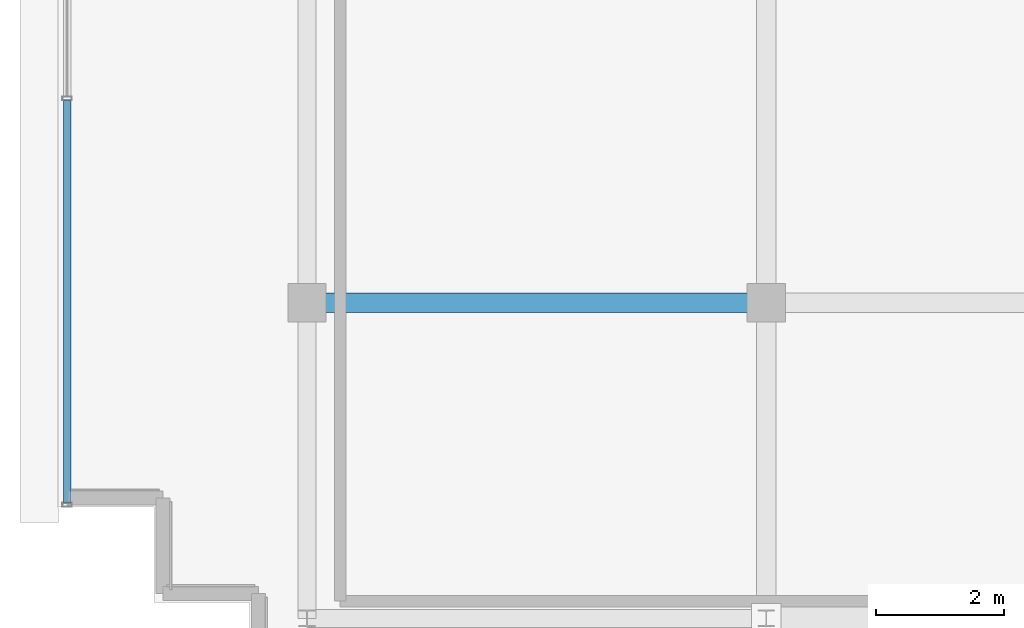
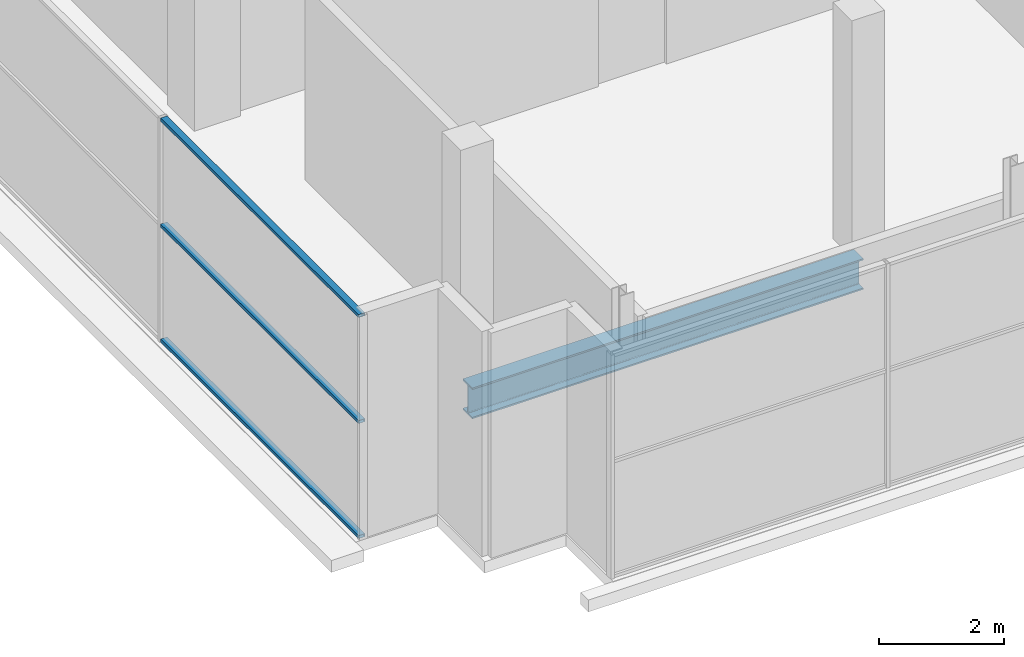
# One storey, part 4 of 28: 3 members, 1 beam, 1 element without a shape of its own.
"""IFC4 building model written with IfcOpenShell, lengths in metres."""

from ifc_helpers import new_model, si_unit, direction, frame, origin, origin_2d, place, context, subcontext, project, spatial, hollow_rectangle, i_section, extrude, source, transform, mapped, material, layer, layer_set, material_profile, profile_set, type_object, element, aggregate, save


model = new_model("IFC4")

# Units and contexts
model_context = context("Model", 3, precision=1e-05, world=origin(), true_north=direction((0.0, 1.0)))
body_context = subcontext(model_context, "Body", "Model", "MODEL_VIEW")
ifc_project = project(units=[si_unit("LENGTHUNIT", "METRE"), si_unit("AREAUNIT", "SQUARE_METRE"), si_unit("VOLUMEUNIT", "CUBIC_METRE"), si_unit("PLANEANGLEUNIT", "RADIAN"), si_unit("MASSUNIT", "GRAM", prefix="KILO")], contexts=[model_context])

# Site, building, storey
site_placement = place(None, origin())
site = spatial("IfcSite", under=ifc_project, at=site_placement, CompositionType="ELEMENT")
building_placement = place(site_placement, origin())
building = spatial("IfcBuilding", under=site, at=building_placement, Name="Zarnakvel Exchange Tower", CompositionType="ELEMENT")
storey_placement = place(building_placement, frame((0.0, 0.0, 290.0)))
storey = spatial("IfcBuildingStorey", under=building, at=storey_placement, Name="Crown L81", CompositionType="ELEMENT", Elevation=290.0)

# Beam
ifc_material_1 = material(Name="Steel S355", Category="steel")
ifc_material_profile_1 = material_profile(ifc_material_1, i_section(OverallWidth=0.300048828125, OverallDepth=0.60009765625, WebThickness=0.015380859375, FlangeThickness=0.030029296875, FilletRadius=0.027099609375, at=origin_2d()))
ifc_profile_set_1 = profile_set([ifc_material_profile_1], Name="Steel S355")
beam_type = type_object("IfcBeamType", Name="G-04", PredefinedType="BEAM", material=ifc_profile_set_1)
beam_placement = place(storey_placement, frame((-14.39990234375, -9.60009765625, -0.52001953125), z_axis=(1.0, 0.0, 0.0), x_axis=(0.0, 1.0, 0.0)))
element("IfcBeam", 1, at=beam_placement, inside=storey, type_object=beam_type, Name="Crown L81 Tower E-W Frame Beam", PredefinedType="BEAM", context=body_context, shape_type="SweptSolid", body=[
    extrude(i_section(OverallWidth=0.300048828125, OverallDepth=0.60009765625, WebThickness=0.015380859375, FlangeThickness=0.030029296875, FilletRadius=0.027099609375, at=origin_2d()), origin(), (0.0, 0.0, 1.0), 7.199951171875),
])

# Curtain wall, members
ifc_material_2 = material(Name="Architectural Bronze Anodised Aluminium", Category="aluminium")
ifc_layer = layer(ifc_material_2, 0.14990234375)
ifc_layer_set = layer_set([ifc_layer], Name="Architectural Bronze Anodised Aluminium")
curtain_wall_type = type_object("IfcCurtainWallType", Name="CW-07", PredefinedType="NOTDEFINED", material=ifc_layer_set)
curtain_wall_placement = place(storey_placement, origin())
curtain_wall = element("IfcCurtainWall", 2, at=curtain_wall_placement, inside=storey, type_object=curtain_wall_type, Name="Crown L81 Curtain Wall CW-Crown L81-W (CW-07)", PredefinedType="NOTDEFINED")
ifc_material_profile_2 = material_profile(ifc_material_2, hollow_rectangle(XDim=0.1201171875, YDim=0.06005859375, WallThickness=0.00390625, at=origin_2d()))
ifc_profile_set_2 = profile_set([ifc_material_profile_2], Name="Architectural Bronze Anodised Aluminium")
member_type = type_object("IfcMemberType", Name="CWT-07", PredefinedType="USERDEFINED", material=ifc_profile_set_2)
shared_shape = source(origin(), body_context, "Body", "SweptSolid", [
    extrude(hollow_rectangle(XDim=0.1201171875, YDim=0.06005859375, WallThickness=0.00390625, at=origin_2d()), origin(), (0.0, 0.0, 1.0), 6.31005859375),
])
member_1_placement = place(storey_placement, frame((-18.159912109375, -12.739990234375, 0.030029296875), z_axis=(0.0, 1.0, 0.0), x_axis=(-1.0, 0.0, 0.0)))
member_1 = element("IfcMember", 3, at=member_1_placement, type_object=member_type, Name="CW-07 transom 1.1", ObjectType="TRANSOM", PredefinedType="USERDEFINED", context=body_context, shape_type="MappedRepresentation", body=[
    mapped(shared_shape, transform((0.0, 0.0, 0.0), x_axis=(1.0, 0.0, 0.0), y_axis=(0.0, 1.0, 0.0), z_axis=(0.0, 0.0, 1.0), scale=1.0)),
])
member_2_placement = place(storey_placement, frame((-18.159912109375, -12.739990234375, 2.26708984375), z_axis=(0.0, 1.0, 0.0), x_axis=(-1.0, 0.0, 0.0)))
member_2 = element("IfcMember", 4, at=member_2_placement, type_object=member_type, Name="CW-07 transom 1.2", ObjectType="TRANSOM", PredefinedType="USERDEFINED", context=body_context, shape_type="MappedRepresentation", body=[
    mapped(shared_shape, transform((0.0, 0.0, 0.0), x_axis=(1.0, 0.0, 0.0), y_axis=(0.0, 1.0, 0.0), z_axis=(0.0, 0.0, 1.0), scale=1.0)),
])
member_3_placement = place(storey_placement, frame((-18.159912109375, -12.739990234375, 4.330078125), z_axis=(0.0, 1.0, 0.0), x_axis=(-1.0, 0.0, 0.0)))
member_3 = element("IfcMember", 5, at=member_3_placement, type_object=member_type, Name="CW-07 transom 1.3", ObjectType="TRANSOM", PredefinedType="USERDEFINED", context=body_context, shape_type="MappedRepresentation", body=[
    mapped(shared_shape, transform((0.0, 0.0, 0.0), x_axis=(1.0, 0.0, 0.0), y_axis=(0.0, 1.0, 0.0), z_axis=(0.0, 0.0, 1.0), scale=1.0)),
])
aggregate(curtain_wall, [member_1, member_2, member_3])

save(model, "model.ifc")
